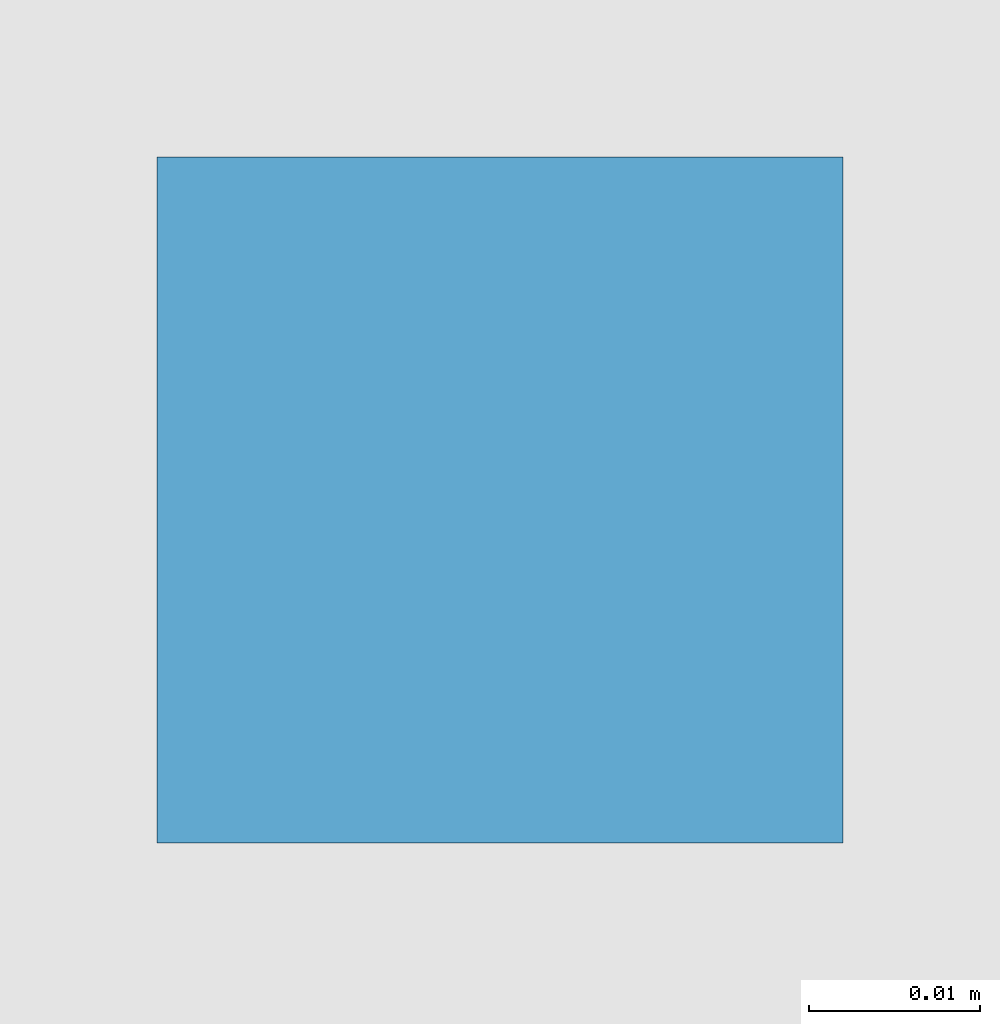
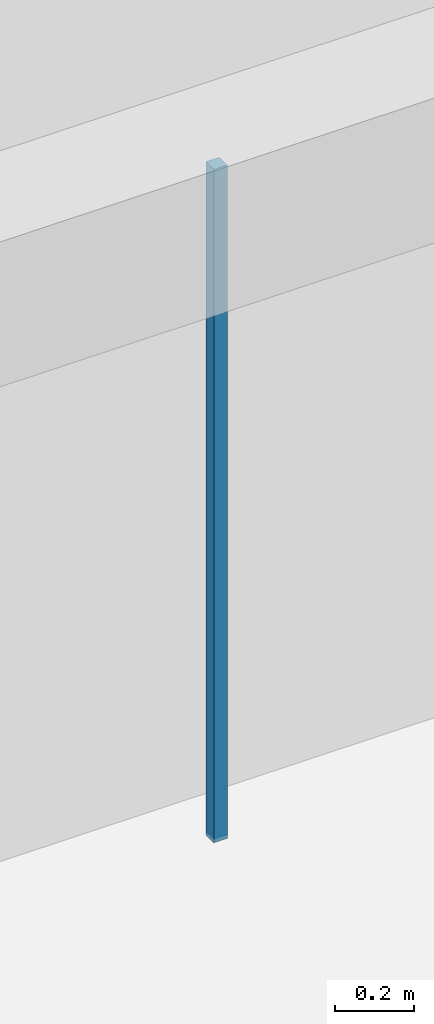
# One storey, part 131 of 157: 1 discrete accessory.
"""IFC4 building model written with IfcOpenShell, lengths in metres."""

import ifcopenshell
import ifcopenshell.guid

model = None  # the IFC model being written
_history = None  # IfcOwnerHistory: only IFC2X3 demands one
_inside = {}  # id of a spatial element -> (the spatial element, [elements in it])
_under = {}  # id of a project, library or spatial element -> (it, [spatial elements below it])
_declared = {}  # id of a project -> (the project, [libraries it declares])
_typed = {}  # id of a type object -> (the type object, [elements of that type])
_made_of = {}  # id of a material, layer set ... -> (it, [elements and type objects made of it])


def new_model(schema):
    """Start an empty IFC model of exactly this schema.

    Asked for "IFC4X3", IfcOpenShell would pick the latest addendum, in which some entities
    have other attributes; the version numbers below select the first issue.
    IFC2X3 requires an IfcOwnerHistory on every rooted entity: one is made here for all.
    """
    global model, _history
    if schema == "IFC4X3":
        model = ifcopenshell.file(schema_version=(4, 3, 0, 0))
    else:
        model = ifcopenshell.file(schema=schema)
    _inside.clear()
    _under.clear()
    _declared.clear()
    _typed.clear()
    _made_of.clear()
    _history = None
    if model.schema == "IFC2X3":
        org = make("IfcOrganization", Name="unknown")
        user = make(
            "IfcPersonAndOrganization",
            ThePerson=make("IfcPerson", FamilyName="unknown"),
            TheOrganization=org,
        )
        app = make(
            "IfcApplication",
            ApplicationDeveloper=org,
            Version="unknown",
            ApplicationFullName="unknown",
            ApplicationIdentifier="unknown",
        )
        _history = make(
            "IfcOwnerHistory",
            OwningUser=user,
            OwningApplication=app,
            ChangeAction="ADDED",
            CreationDate=0,
        )
    return model


def make(cls, **values):
    """One entity of the class cls with the attributes given. An attribute that is None is left unset."""
    return model.create_entity(
        cls, **{name: value for name, value in values.items() if value is not None}
    )


def rooted(cls, **values):
    """An entity with a GlobalId (a new one), such as an element, a storey or a relation."""
    return make(cls, GlobalId=ifcopenshell.guid.new(), OwnerHistory=_history, **values)


def si_unit(unit_type, name, prefix=None):
    """IfcSIUnit, for example si_unit("LENGTHUNIT", "METRE", prefix="MILLI")."""
    return make("IfcSIUnit", UnitType=unit_type, Prefix=prefix, Name=name)


def assignment(units):
    """IfcUnitAssignment: the units of a project."""
    return None if units is None else make("IfcUnitAssignment", Units=units)


def point(xyz):
    """IfcCartesianPoint."""
    return None if xyz is None else make("IfcCartesianPoint", Coordinates=xyz)


def direction(xyz):
    """IfcDirection."""
    return None if xyz is None else make("IfcDirection", DirectionRatios=xyz)


def frame(location, z_axis=None, x_axis=None):
    """IfcAxis2Placement3D, a coordinate frame: its origin and axes. An axis left out is left unset."""
    return make(
        "IfcAxis2Placement3D",
        Location=point(location),
        Axis=direction(z_axis),
        RefDirection=direction(x_axis),
    )


def frame_2d(location, x_axis=None):
    """IfcAxis2Placement2D, a coordinate frame in the plane: its origin and x axis."""
    return make(
        "IfcAxis2Placement2D", Location=point(location), RefDirection=direction(x_axis)
    )


def origin():
    """The frame at (0, 0, 0) with its axes left unset."""
    return frame((0.0, 0.0, 0.0))


def origin_2d():
    """The frame at (0, 0) in the plane with its x axis left unset."""
    return frame_2d((0.0, 0.0))


def place(relative_to, where):
    """IfcLocalPlacement: puts the frame where relative to a parent placement (None: the world)."""
    return make(
        "IfcLocalPlacement", PlacementRelTo=relative_to, RelativePlacement=where
    )


def context(
    kind, dimensions, precision=None, world=None, true_north=None, identifier=None
):
    """IfcGeometricRepresentationContext, for example the 3D "Model" context."""
    return make(
        "IfcGeometricRepresentationContext",
        ContextIdentifier=identifier,
        ContextType=kind,
        CoordinateSpaceDimension=dimensions,
        Precision=precision,
        WorldCoordinateSystem=world,
        TrueNorth=true_north,
    )


def subcontext(parent, identifier, kind, view, scale=None):
    """IfcGeometricRepresentationSubContext, for example "Body" below "Model"."""
    return make(
        "IfcGeometricRepresentationSubContext",
        ContextIdentifier=identifier,
        ContextType=kind,
        ParentContext=parent,
        TargetScale=scale,
        TargetView=view,
    )


def project(units=None, contexts=None):
    """IfcProject with its units and contexts."""
    return rooted(
        "IfcProject",
        Name="project",
        RepresentationContexts=contexts,
        UnitsInContext=assignment(units),
    )


def spatial(cls, under=None, at=None, **own):
    """A site, building, storey or space (cls), placed at a placement, below another one or the project."""
    s = rooted(cls, ObjectPlacement=at, **own)
    if under is not None:
        _under.setdefault(under.id(), (under, []))[1].append(s)
    return s


def profile(cls, at=None, kind="AREA", **sizes):
    """A parametric profile (cls). Its sizes go by their IFC names, for example OverallWidth=200.0."""
    return make(cls, ProfileType=kind, Position=at, **sizes)


def rectangle(**sizes):
    """IfcRectangleProfileDef."""
    return profile("IfcRectangleProfileDef", **sizes)


def extrude(swept, where, along, depth):
    """IfcExtrudedAreaSolid: the profile swept, set in the frame where, extruded along a direction by depth."""
    return make(
        "IfcExtrudedAreaSolid",
        SweptArea=swept,
        Position=where,
        ExtrudedDirection=direction(along),
        Depth=depth,
    )


def shape(context_of_items, identifier, shape_type, items):
    """IfcShapeRepresentation: the items that make up one representation, for example the "Body"."""
    return make(
        "IfcShapeRepresentation",
        ContextOfItems=context_of_items,
        RepresentationIdentifier=identifier,
        RepresentationType=shape_type,
        Items=items,
    )


def material(Name=None, Category=None):
    """IfcMaterial."""
    return make("IfcMaterial", Name=Name, Category=Category)


def made_of(thing, what):
    """Note that an element or type object is made of a material, layer set ...; save() writes the relation."""
    if what is not None:
        _made_of.setdefault(what.id(), (what, []))[1].append(thing)
    return thing


def type_object(cls, material=None, **own):
    """A type object (cls), such as IfcWallType, which elements share."""
    return made_of(rooted(cls, **own), material)


def element(
    cls,
    number,
    at=None,
    inside=None,
    cuts=None,
    type_object=None,
    material=None,
    context=None,
    identifier="Body",
    shape_type=None,
    held_by="IfcProductDefinitionShape",
    body=None,
    shapes=None,
    **own,
):
    """One element of the class cls, such as IfcWall. Its Tag is "e" and its number.

    at: its placement. inside: the storey or other place that contains it. cuts: it is an
    opening in that element (IfcRelVoidsElement). A single representation is given by context,
    identifier, shape_type and body (its items); several are given by shapes. held_by: the class
    of the entity that holds the representations. save() writes the other relations.
    """
    e = rooted(cls, Tag="e%d" % number, ObjectPlacement=at, **own)
    if body is not None:
        shapes = [shape(context, identifier, shape_type, body)]
    if shapes is not None:
        e.Representation = make(held_by, Representations=shapes)
    if inside is not None:
        _inside.setdefault(inside.id(), (inside, []))[1].append(e)
    if cuts is not None:
        rooted(
            "IfcRelVoidsElement", RelatingBuildingElement=cuts, RelatedOpeningElement=e
        )
    if type_object is not None:
        _typed.setdefault(type_object.id(), (type_object, []))[1].append(e)
    return made_of(e, material)


def aggregate(whole, parts):
    """IfcRelAggregates: a whole, such as a stair, and the parts it consists of."""
    return rooted("IfcRelAggregates", RelatingObject=whole, RelatedObjects=parts)


def save(model, path):
    """Write the relations noted so far, then the file.

    IfcRelAggregates (storeys below a building ...), IfcRelContainedInSpatialStructure (elements
    in a storey), IfcRelDefinesByType, IfcRelAssociatesMaterial and IfcRelDeclares: one each for
    every whole, place, type object, material and project.
    """
    for whole, parts in _under.values():
        aggregate(whole, parts)
    for where, things in _inside.values():
        rooted(
            "IfcRelContainedInSpatialStructure",
            RelatedElements=things,
            RelatingStructure=where,
        )
    for kind, things in _typed.values():
        rooted("IfcRelDefinesByType", RelatedObjects=things, RelatingType=kind)
    for what, things in _made_of.values():
        rooted("IfcRelAssociatesMaterial", RelatedObjects=things, RelatingMaterial=what)
    for by, libraries in _declared.values():
        rooted("IfcRelDeclares", RelatingContext=by, RelatedDefinitions=libraries)
    model.write(path)


model = new_model("IFC4")

# Units and contexts
model_context = context("Model", 3, precision=1e-05, world=origin(), true_north=direction((0.0, 1.0)))
body_context = subcontext(model_context, "Body", "Model", "MODEL_VIEW")
ifc_project = project(units=[si_unit("LENGTHUNIT", "METRE"), si_unit("AREAUNIT", "SQUARE_METRE"), si_unit("VOLUMEUNIT", "CUBIC_METRE"), si_unit("PLANEANGLEUNIT", "RADIAN"), si_unit("MASSUNIT", "GRAM", prefix="KILO")], contexts=[model_context])

# Site, building, storey
site_placement = place(None, origin())
site = spatial("IfcSite", under=ifc_project, at=site_placement, CompositionType="ELEMENT")
building_placement = place(site_placement, origin())
building = spatial("IfcBuilding", under=site, at=building_placement, Name="Varncliffe General Hospital", CompositionType="ELEMENT")
storey_placement = place(building_placement, frame((0.0, 0.0, 5.39990234375)))
storey = spatial("IfcBuildingStorey", under=building, at=storey_placement, Name="L01", CompositionType="ELEMENT", Elevation=5.39990234375)

# Discrete accessory
ifc_material = material(Name="Powder-coated hospital steel guardrail and handrail", Category="steel")
discrete_accessory_type = type_object("IfcDiscreteAccessoryType", Name="Suspended Ceiling Hanger Bracket CH01", PredefinedType="BRACKET", material=ifc_material)
discrete_accessory_placement = place(storey_placement, frame((129.5, 95.39990234375, 3.18994140625), z_axis=(0.0, 0.0, 1.0), x_axis=(1.0, 0.0, 0.0)))
element("IfcDiscreteAccessory", 1, at=discrete_accessory_placement, inside=storey, type_object=discrete_accessory_type, Name="L01 Suspended Ceiling Hanger 180", PredefinedType="BRACKET", context=body_context, shape_type="SweptSolid", body=[
    extrude(rectangle(XDim=0.0400390625, YDim=0.0400390625, at=origin_2d()), origin(), (0.0, 0.0, 1.0), 2.090087890625),
])

save(model, "model.ifc")
